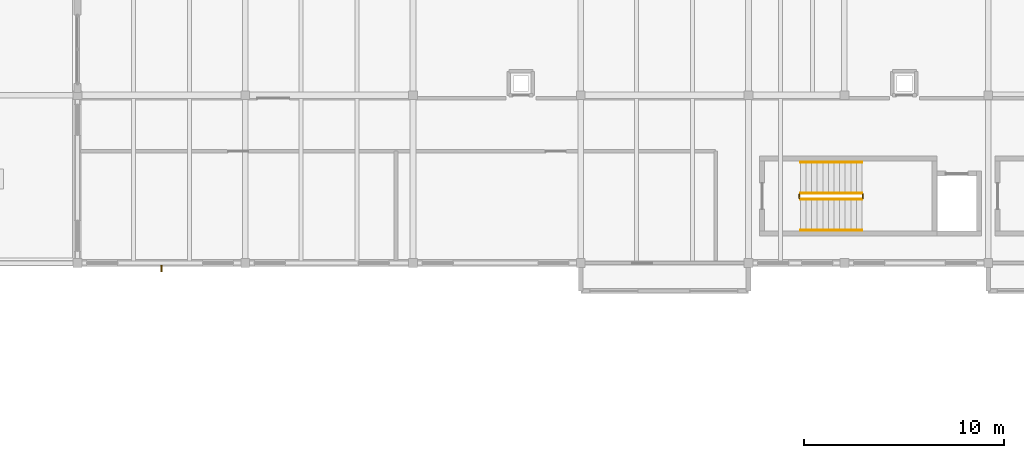
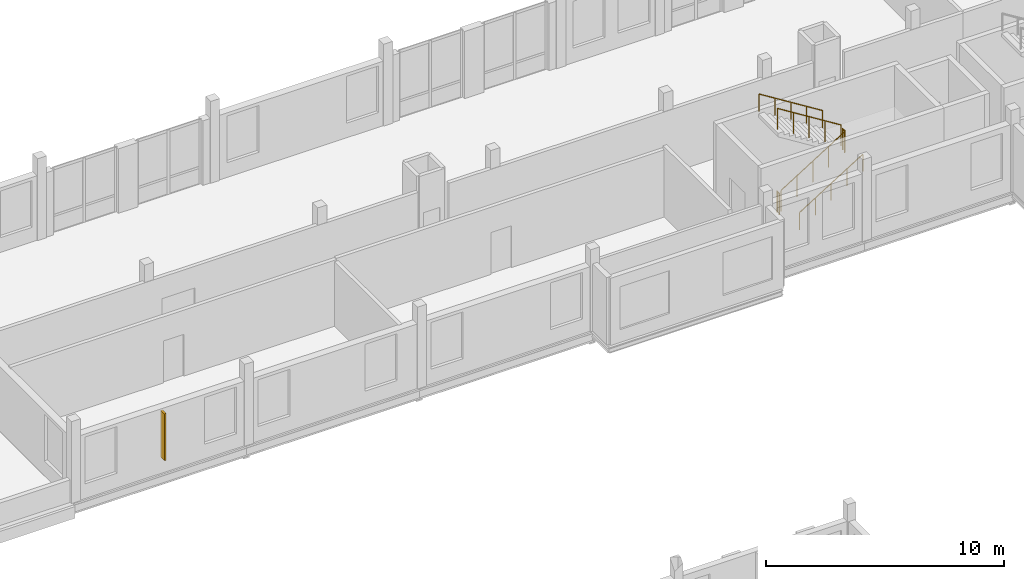
# One storey, part 79 of 81: 6 railings, 1 shading device.
"""IFC4 building model written with IfcOpenShell, lengths in metres."""

from ifc_helpers import new_model, si_unit, direction, frame, origin, origin_2d, place, context, subcontext, project, spatial, rectangle, circle, extrude, material, type_object, element, save


model = new_model("IFC4")

# Units and contexts
model_context = context("Model", 3, precision=1e-05, world=origin(), true_north=direction((0.0, 1.0)))
body_context = subcontext(model_context, "Body", "Model", "MODEL_VIEW")
ifc_project = project(units=[si_unit("LENGTHUNIT", "METRE"), si_unit("AREAUNIT", "SQUARE_METRE"), si_unit("VOLUMEUNIT", "CUBIC_METRE"), si_unit("PLANEANGLEUNIT", "RADIAN"), si_unit("MASSUNIT", "GRAM", prefix="KILO")], contexts=[model_context])

# Site, building, storey
site_placement = place(None, origin())
site = spatial("IfcSite", under=ifc_project, at=site_placement, CompositionType="ELEMENT")
building_placement = place(site_placement, origin())
building = spatial("IfcBuilding", under=site, at=building_placement, Name="Kahlenmark Community Centre", CompositionType="ELEMENT")
storey_placement = place(building_placement, frame((0.0, 0.0, 9.60009765625)))
storey = spatial("IfcBuildingStorey", under=building, at=storey_placement, Name="L02", CompositionType="ELEMENT", Elevation=9.60009765625)

# Railings
ifc_material_1 = material(Name="Brushed stainless steel 1.4301 handrail", Category="steel")
railing_type_1 = type_object("IfcRailingType", Name="RLT-HR-900", PredefinedType="HANDRAIL", material=ifc_material_1)
railing_1_placement = place(storey_placement, frame((48.60009765625, 99.25, 0.1748046875)))
element("IfcRailing", 1, at=railing_1_placement, inside=storey, type_object=railing_type_1, Name="L02 ST-04 stair handrail 1", PredefinedType="HANDRAIL", context=body_context, shape_type="SweptSolid", body=[
    extrude(circle(Radius=0.02392578125, at=origin_2d()), frame((0.0, 0.0, 0.8759765625), z_axis=(0.847979421464, 0.0, 0.530029150871), x_axis=(0.0, 1.0, 0.0)), (0.0, 0.0, 1.0), 3.632080078125),
    extrude(circle(Radius=0.02099609375, at=origin_2d()), origin(), (0.0, 0.0, 1.0), 0.851806640625),
    extrude(circle(Radius=0.02099609375, at=origin_2d()), frame((0.77001953125, 0.0, 0.481201171875)), (0.0, 0.0, 1.0), 0.851806640625),
    extrude(circle(Radius=0.02099609375, at=origin_2d()), frame((1.5400390625, 0.0, 0.96240234375)), (0.0, 0.0, 1.0), 0.851806640625),
    extrude(circle(Radius=0.02099609375, at=origin_2d()), frame((2.309814453125, 0.0, 1.44384765625)), (0.0, 0.0, 1.0), 0.851806640625),
    extrude(circle(Radius=0.02099609375, at=origin_2d()), frame((3.079833984375, 0.0, 1.925048828125)), (0.0, 0.0, 1.0), 0.851806640625),
])
railing_2_placement = place(storey_placement, frame((51.679931640625, 102.64990234375, 2.27490234375)))
element("IfcRailing", 2, at=railing_2_placement, inside=storey, type_object=railing_type_1, Name="L02 ST-04 stair handrail 2", PredefinedType="HANDRAIL", context=body_context, shape_type="SweptSolid", body=[
    extrude(circle(Radius=0.02392578125, at=origin_2d()), frame((0.0, 0.0, 0.8759765625), z_axis=(-0.847979421464, 0.0, 0.530029150871), x_axis=(0.0, -1.0, 0.0)), (0.0, 0.0, 1.0), 3.632080078125),
    extrude(circle(Radius=0.02099609375, at=origin_2d()), origin(), (0.0, 0.0, 1.0), 0.851806640625),
    extrude(circle(Radius=0.02099609375, at=origin_2d()), frame((-0.77001953125, 0.0, 0.481201171875)), (0.0, 0.0, 1.0), 0.851806640625),
    extrude(circle(Radius=0.02099609375, at=origin_2d()), frame((-1.5400390625, 0.0, 0.96240234375)), (0.0, 0.0, 1.0), 0.851806640625),
    extrude(circle(Radius=0.02099609375, at=origin_2d()), frame((-2.309814453125, 0.0, 1.44384765625)), (0.0, 0.0, 1.0), 0.851806640625),
    extrude(circle(Radius=0.02099609375, at=origin_2d()), frame((-3.079833984375, 0.0, 1.925048828125)), (0.0, 0.0, 1.0), 0.851806640625),
])
ifc_material_2 = material(Name="Powder-coated steel stair well guard", Category="steel")
railing_type_2 = type_object("IfcRailingType", Name="RLT-SG-1120", PredefinedType="GUARDRAIL", material=ifc_material_2)
railing_3_placement = place(storey_placement, frame((48.60009765625, 100.800048828125, 0.1748046875)))
element("IfcRailing", 3, at=railing_3_placement, inside=storey, type_object=railing_type_2, Name="L02 ST-04 stair guard 1", PredefinedType="GUARDRAIL", context=body_context, shape_type="SweptSolid", body=[
    extrude(circle(Radius=0.02392578125, at=origin_2d()), frame((0.0, 0.0, 1.076171875), z_axis=(0.847979421464, 0.0, 0.530029150871), x_axis=(0.0, 1.0, 0.0)), (0.0, 0.0, 1.0), 3.632080078125),
    extrude(circle(Radius=0.02099609375, at=origin_2d()), origin(), (0.0, 0.0, 1.0), 1.052001953125),
    extrude(circle(Radius=0.02099609375, at=origin_2d()), frame((0.77001953125, 0.0, 0.481201171875)), (0.0, 0.0, 1.0), 1.052001953125),
    extrude(circle(Radius=0.02099609375, at=origin_2d()), frame((1.5400390625, 0.0, 0.96240234375)), (0.0, 0.0, 1.0), 1.052001953125),
    extrude(circle(Radius=0.02099609375, at=origin_2d()), frame((2.309814453125, 0.0, 1.44384765625)), (0.0, 0.0, 1.0), 1.052001953125),
    extrude(circle(Radius=0.02099609375, at=origin_2d()), frame((3.079833984375, 0.0, 1.925048828125)), (0.0, 0.0, 1.0), 1.052001953125),
])
railing_4_placement = place(storey_placement, frame((51.72998046875, 100.85009765625, 2.099853515625)))
element("IfcRailing", 4, at=railing_4_placement, inside=storey, type_object=railing_type_2, Name="L02 ST-04 stair guard 2", PredefinedType="GUARDRAIL", context=body_context, shape_type="SweptSolid", body=[
    extrude(circle(Radius=0.02392578125, at=origin_2d()), frame((0.0, 0.0, 1.076171875), z_axis=(0.0, 1.0, 0.0), x_axis=(-1.0, 0.0, 0.0)), (0.0, 0.0, 1.0), 0.199951171875),
    extrude(circle(Radius=0.02099609375, at=origin_2d()), origin(), (0.0, 0.0, 1.0), 1.052001953125),
    extrude(circle(Radius=0.02099609375, at=origin_2d()), frame((0.0, 0.199951171875, 0.0)), (0.0, 0.0, 1.0), 1.052001953125),
])
railing_5_placement = place(storey_placement, frame((51.679931640625, 101.10009765625, 2.27490234375)))
element("IfcRailing", 5, at=railing_5_placement, inside=storey, type_object=railing_type_2, Name="L02 ST-04 stair guard 3", PredefinedType="GUARDRAIL", context=body_context, shape_type="SweptSolid", body=[
    extrude(circle(Radius=0.02392578125, at=origin_2d()), frame((0.0, 0.0, 1.076171875), z_axis=(-0.847979421464, 0.0, 0.530029150871), x_axis=(0.0, -1.0, 0.0)), (0.0, 0.0, 1.0), 3.632080078125),
    extrude(circle(Radius=0.02099609375, at=origin_2d()), origin(), (0.0, 0.0, 1.0), 1.052001953125),
    extrude(circle(Radius=0.02099609375, at=origin_2d()), frame((-0.77001953125, 0.0, 0.481201171875)), (0.0, 0.0, 1.0), 1.052001953125),
    extrude(circle(Radius=0.02099609375, at=origin_2d()), frame((-1.5400390625, 0.0, 0.96240234375)), (0.0, 0.0, 1.0), 1.052001953125),
    extrude(circle(Radius=0.02099609375, at=origin_2d()), frame((-2.309814453125, 0.0, 1.44384765625)), (0.0, 0.0, 1.0), 1.052001953125),
    extrude(circle(Radius=0.02099609375, at=origin_2d()), frame((-3.079833984375, 0.0, 1.925048828125)), (0.0, 0.0, 1.0), 1.052001953125),
])
railing_6_placement = place(storey_placement, frame((48.550048828125, 100.85009765625, 0.0)))
element("IfcRailing", 6, at=railing_6_placement, inside=storey, type_object=railing_type_2, Name="L02 ST-04 stair guard 4", PredefinedType="GUARDRAIL", context=body_context, shape_type="SweptSolid", body=[
    extrude(circle(Radius=0.02392578125, at=origin_2d()), frame((0.0, 0.0, 1.076171875), z_axis=(0.0, 1.0, 0.0), x_axis=(-1.0, 0.0, 0.0)), (0.0, 0.0, 1.0), 0.199951171875),
    extrude(circle(Radius=0.02099609375, at=origin_2d()), origin(), (0.0, 0.0, 1.0), 1.052001953125),
    extrude(circle(Radius=0.02099609375, at=origin_2d()), frame((0.0, 0.199951171875, 0.0)), (0.0, 0.0, 1.0), 1.052001953125),
])

# Shading device
ifc_material_3 = material(Name="Extruded warm terracotta solar fin", Category="masonry")
shading_device_type = type_object("IfcShadingDeviceType", Name="SDT-FIN-320", PredefinedType="NOTDEFINED", material=ifc_material_3)
shading_device_placement = place(storey_placement, frame((16.60009765625, 97.320068359375, 0.800048828125), z_axis=(0.0, 0.0, 1.0), x_axis=(1.0, 0.0, 0.0)))
element("IfcShadingDevice", 7, at=shading_device_placement, inside=storey, type_object=shading_device_type, Name="Terracotta solar fin 0004", PredefinedType="NOTDEFINED", context=body_context, shape_type="SweptSolid", body=[
    extrude(rectangle(XDim=0.080078125, YDim=0.320068359375, at=origin_2d()), origin(), (0.0, 0.0, 1.0), 2.39990234375),
])

save(model, "model.ifc")
